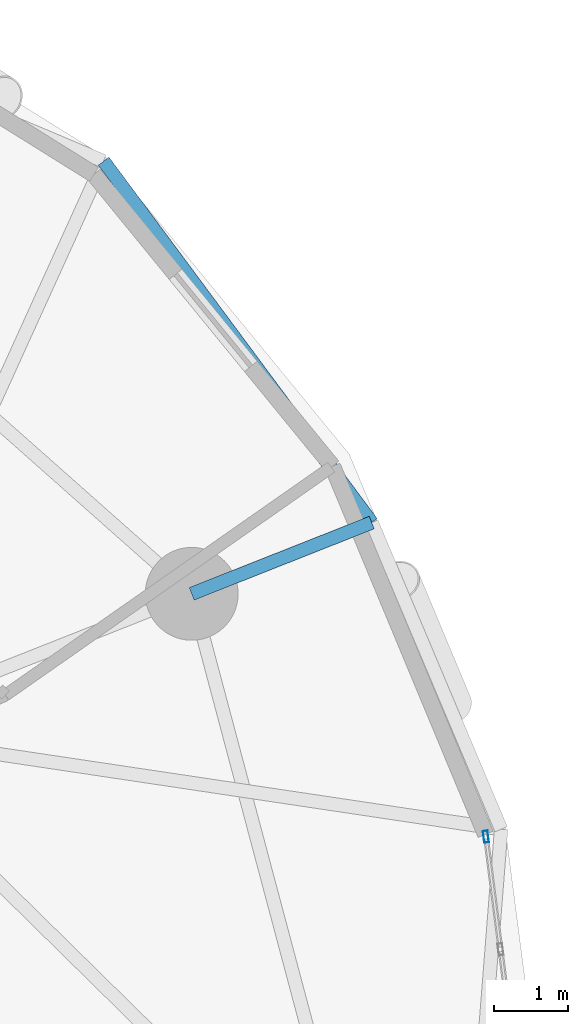
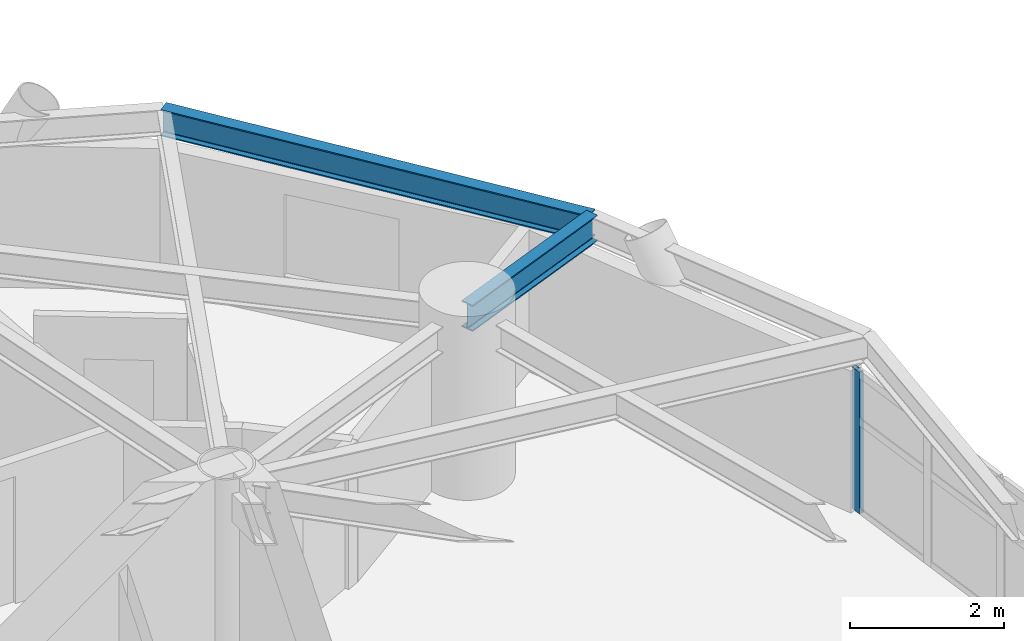
# One storey, part 4 of 17: 2 beams, 1 member, 1 element without a shape of its own.
"""IFC4 building model written with IfcOpenShell, lengths in metres."""

from ifc_helpers import new_model, si_unit, direction, frame, origin, origin_2d, place, context, subcontext, project, spatial, hollow_rectangle, i_section, extrude, material, layer, layer_set, material_profile, profile_set, type_object, element, aggregate, save


model = new_model("IFC4")

# Units and contexts
model_context = context("Model", 3, precision=1e-05, world=origin(), true_north=direction((0.0, 1.0)))
body_context = subcontext(model_context, "Body", "Model", "MODEL_VIEW")
ifc_project = project(units=[si_unit("LENGTHUNIT", "METRE"), si_unit("AREAUNIT", "SQUARE_METRE"), si_unit("VOLUMEUNIT", "CUBIC_METRE"), si_unit("PLANEANGLEUNIT", "RADIAN"), si_unit("MASSUNIT", "GRAM", prefix="KILO")], contexts=[model_context])

# Site, building, storey
site_placement = place(None, origin())
site = spatial("IfcSite", under=ifc_project, at=site_placement, CompositionType="ELEMENT")
building_placement = place(site_placement, origin())
building = spatial("IfcBuilding", under=site, at=building_placement, Name="Cununo Teusaquillo Station Towers", CompositionType="ELEMENT")
storey_placement = place(building_placement, frame((0.0, 0.0, 154.510009765625)))
storey = spatial("IfcBuildingStorey", under=building, at=storey_placement, Name="L48", CompositionType="ELEMENT", Elevation=154.510009765625)

# Beams
ifc_material_1 = material(Name="Steel ASTM A572 Grade 50", Category="steel")
ifc_material_profile_1 = material_profile(ifc_material_1, i_section(OverallWidth=0.180908203125, OverallDepth=0.4169921875, WebThickness=0.010986328125, FlangeThickness=0.018310546875, FilletRadius=0.012939453125, at=origin_2d()), Name="W16X57")
ifc_profile_set_1 = profile_set([ifc_material_profile_1], Name="Steel ASTM A572 Grade 50")
beam_type_1 = type_object("IfcBeamType", Name="BM-RAD-G2", PredefinedType="BEAM", material=ifc_profile_set_1)
beam_1_placement = place(storey_placement, frame((26.347412109375, 33.228515625, 2.4814453125), z_axis=(0.929858677495, 0.367916892636, 0.0), x_axis=(-0.367916892636, 0.929858677495, 0.0)))
element("IfcBeam", 1, at=beam_1_placement, inside=storey, type_object=beam_type_1, Name="L48 Tower A Perimeter Overhang Girder 02B", PredefinedType="BEAM", context=body_context, shape_type="SweptSolid", body=[
    extrude(i_section(OverallWidth=0.180908203125, OverallDepth=0.4169921875, WebThickness=0.010986328125, FlangeThickness=0.018310546875, FilletRadius=0.012939453125, at=origin_2d()), origin(), (0.0, 0.0, 1.0), 2.607177734375),
])
ifc_material_2 = material(Name="Steel ASTM A572 Grade 50", Category="steel")
ifc_material_profile_2 = material_profile(ifc_material_2, i_section(OverallWidth=0.180908203125, OverallDepth=0.4169921875, WebThickness=0.010986328125, FlangeThickness=0.018310546875, FilletRadius=0.012939453125, at=origin_2d()), Name="W16X57")
ifc_profile_set_2 = profile_set([ifc_material_profile_2], Name="Steel ASTM A572 Grade 50")
beam_type_2 = type_object("IfcBeamType", Name="BM-RING-Z3", PredefinedType="SPANDREL", material=ifc_profile_set_2)
beam_2_placement = place(storey_placement, frame((28.771728515625, 34.187744140625, 2.4814453125), z_axis=(-0.595872908853, 0.803078748626, 0.0), x_axis=(-0.803078748626, -0.595872908853, 0.0)))
element("IfcBeam", 2, at=beam_2_placement, inside=storey, type_object=beam_type_2, Name="L48 Tower A Spandrel Ring Beam 03", PredefinedType="SPANDREL", context=body_context, shape_type="SweptSolid", body=[
    extrude(i_section(OverallWidth=0.180908203125, OverallDepth=0.4169921875, WebThickness=0.010986328125, FlangeThickness=0.018310546875, FilletRadius=0.012939453125, at=origin_2d()), origin(), (0.0, 0.0, 1.0), 6.059814453125),
])

# Curtain wall, member
ifc_material_3 = material(Name="Operable acoustic tinted low-E double glazing", Category="glass")
ifc_layer = layer(ifc_material_3, 0.179931640625)
ifc_layer_set = layer_set([ifc_layer], Name="Operable acoustic tinted low-E double glazing")
curtain_wall_type = type_object("IfcCurtainWallType", Name="CW-SYS-06", PredefinedType="USERDEFINED", material=ifc_layer_set)
curtain_wall_placement = place(storey_placement, origin())
curtain_wall = element("IfcCurtainWall", 3, at=curtain_wall_placement, inside=storey, type_object=curtain_wall_type, Name="L48 Tower A Facade Curtain Wall C00", ObjectType="OPERABLE GLAZING", PredefinedType="USERDEFINED")
ifc_material_4 = material(Name="Anodised dark bronze aluminium EN AW-6063-T6", Category="aluminium")
ifc_material_profile_3 = material_profile(ifc_material_4, hollow_rectangle(XDim=0.06494140625, YDim=0.159912109375, WallThickness=0.00390625, at=origin_2d()), Name="CW-MULL-65x160")
ifc_profile_set_3 = profile_set([ifc_material_profile_3], Name="Anodised dark bronze aluminium EN AW-6063-T6")
member_type = type_object("IfcMemberType", Name="CWM-160", PredefinedType="MULLION", material=ifc_profile_set_3)
member_placement = place(storey_placement, frame((30.308837890625, 29.958984375, 0.0), z_axis=(0.0, 0.0, 1.0), x_axis=(0.991736321922, 0.128292898403, 0.0)))
member = element("IfcMember", 4, at=member_placement, type_object=member_type, Name="CW-06 mullion 1", PredefinedType="MULLION", context=body_context, shape_type="SweptSolid", body=[
    extrude(hollow_rectangle(XDim=0.06494140625, YDim=0.159912109375, WallThickness=0.00390625, at=origin_2d()), origin(), (0.0, 0.0, 1.0), 2.244873046875),
])
aggregate(curtain_wall, [member])

save(model, "model.ifc")
